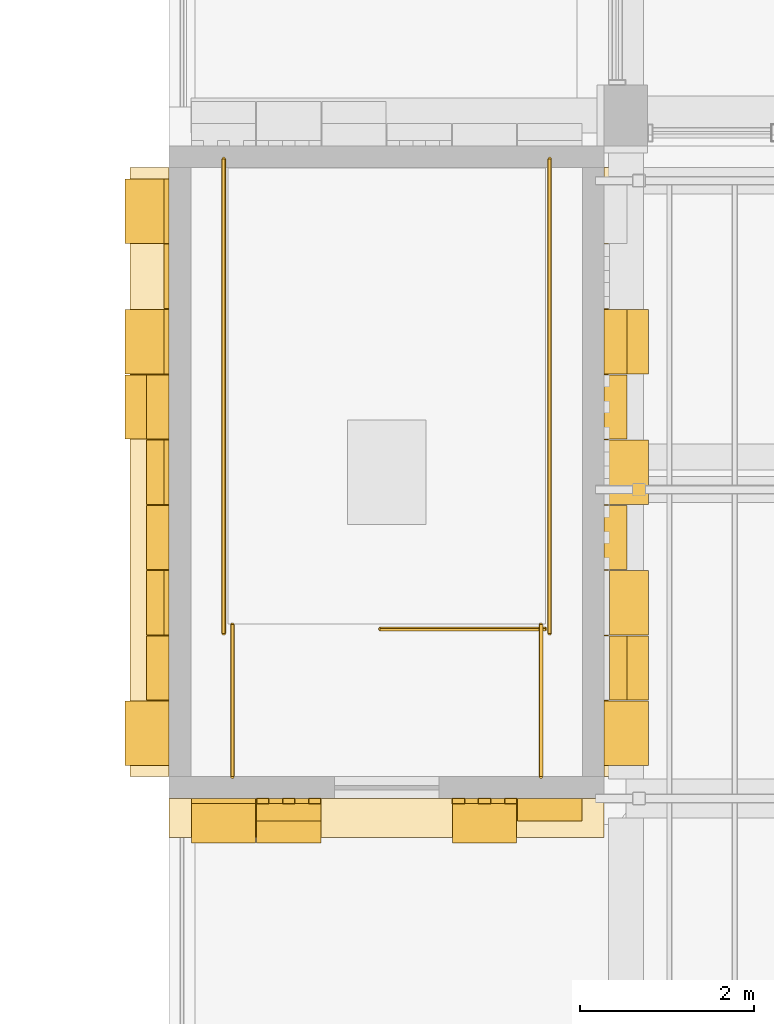
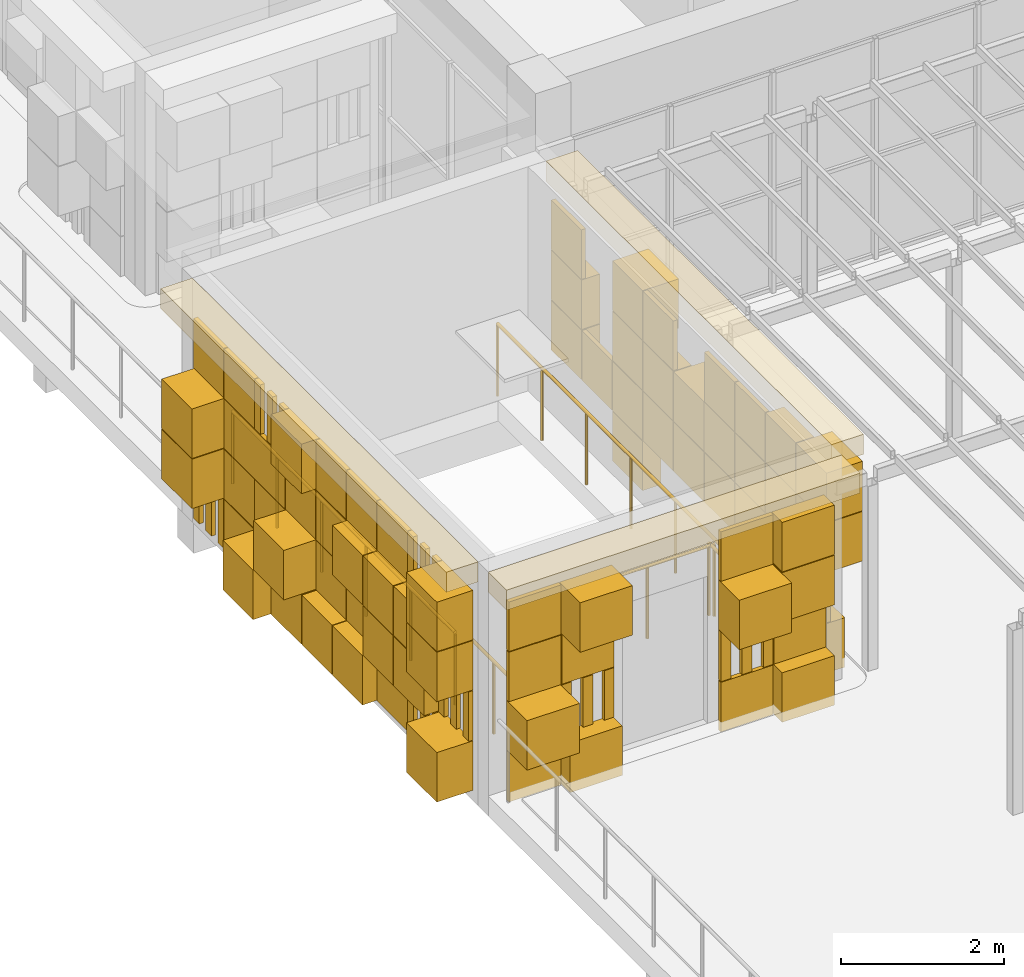
# One storey, part 20 of 26: 19 coverings, 5 railings.
"""IFC4 building model written with IfcOpenShell, lengths in metres."""

from ifc_helpers import new_model, si_unit, direction, frame, origin, origin_2d, place, context, subcontext, project, spatial, rectangle, circle, extrude, material, layer, layer_set, type_object, element, save


model = new_model("IFC4")

# Units and contexts
model_context = context("Model", 3, precision=1e-05, world=origin(), true_north=direction((0.0, 1.0)))
body_context = subcontext(model_context, "Body", "Model", "MODEL_VIEW")
ifc_project = project(units=[si_unit("LENGTHUNIT", "METRE"), si_unit("AREAUNIT", "SQUARE_METRE"), si_unit("VOLUMEUNIT", "CUBIC_METRE"), si_unit("PLANEANGLEUNIT", "RADIAN"), si_unit("MASSUNIT", "GRAM", prefix="KILO")], contexts=[model_context])

# Site, building, storey
site_placement = place(None, origin())
site = spatial("IfcSite", under=ifc_project, at=site_placement, CompositionType="ELEMENT")
building_placement = place(site_placement, origin())
building = spatial("IfcBuilding", under=site, at=building_placement, Name="Sun Court Science Centre", CompositionType="ELEMENT")
storey_placement = place(building_placement, frame((0.0, 0.0, 29.25)))
storey = spatial("IfcBuildingStorey", under=building, at=storey_placement, Name="L06", CompositionType="ELEMENT", Elevation=29.25)

# Railings
ifc_material_1 = material(Name="Steel S275", Category="steel")
railing_type = type_object("IfcRailingType", Name="Guard 1100 steel balustrade", PredefinedType="GUARDRAIL", material=ifc_material_1)
railing_placement = place(storey_placement, frame((86.322998046875, 37.947998046875, 0.0)))
element("IfcRailing", 1, at=railing_placement, inside=storey, type_object=railing_type, Name="L06 SL2 top well guard 1", PredefinedType="GUARDRAIL", context=body_context, shape_type="SweptSolid", body=[
    extrude(circle(Radius=0.02392578125, at=origin_2d()), frame((0.0, 0.0, 1.076171875), z_axis=(-1.0, 0.0, 0.0), x_axis=(0.0, -1.0, 0.0)), (0.0, 0.0, 1.0), 1.89794921875),
    extrude(circle(Radius=0.02099609375, at=origin_2d()), origin(), (0.0, 0.0, 1.0), 1.052001953125),
    extrude(circle(Radius=0.02099609375, at=origin_2d()), frame((-0.948974609375, 0.0, 0.0)), (0.0, 0.0, 1.0), 1.052001953125),
    extrude(circle(Radius=0.02099609375, at=origin_2d()), frame((-1.89794921875, 0.0, 0.0)), (0.0, 0.0, 1.0), 1.052001953125),
])
for number, where, name in (
    (2, (86.373046875, 37.89794921875, 0.0), "L06 SL2 top well guard 2"),
    (3, (82.626953125, 37.89794921875, 0.0), "L06 SL2 top well guard 3"),
):
    element("IfcRailing", number, at=place(storey_placement, frame(where)), inside=storey, type_object=railing_type, Name=name, PredefinedType="GUARDRAIL", context=body_context, shape_type="SweptSolid", body=[
        extrude(circle(Radius=0.02392578125, at=origin_2d()), frame((0.0, 0.0, 1.076171875), z_axis=(0.0, 1.0, 0.0), x_axis=(-1.0, 0.0, 0.0)), (0.0, 0.0, 1.0), 5.4521484375),
        extrude(circle(Radius=0.02099609375, at=origin_2d()), origin(), (0.0, 0.0, 1.0), 1.052001953125),
        extrude(circle(Radius=0.02099609375, at=origin_2d()), frame((0.0, 1.09033203125, 0.0)), (0.0, 0.0, 1.0), 1.052001953125),
        extrude(circle(Radius=0.02099609375, at=origin_2d()), frame((0.0, 2.180908203125, 0.0)), (0.0, 0.0, 1.0), 1.052001953125),
        extrude(circle(Radius=0.02099609375, at=origin_2d()), frame((0.0, 3.271240234375, 0.0)), (0.0, 0.0, 1.0), 1.052001953125),
        extrude(circle(Radius=0.02099609375, at=origin_2d()), frame((0.0, 4.36181640625, 0.0)), (0.0, 0.0, 1.0), 1.052001953125),
        extrude(circle(Radius=0.02099609375, at=origin_2d()), frame((0.0, 5.4521484375, 0.0)), (0.0, 0.0, 1.0), 1.052001953125),
    ])
for number, where, name in (
    (4, (86.27294921875, 36.25, 0.0), "L06 SL2 top well guard 4"),
    (5, (82.72705078125, 36.25, 0.0), "L06 SL2 top well guard 5"),
):
    element("IfcRailing", number, at=place(storey_placement, frame(where)), inside=storey, type_object=railing_type, Name=name, PredefinedType="GUARDRAIL", context=body_context, shape_type="SweptSolid", body=[
        extrude(circle(Radius=0.02392578125, at=origin_2d()), frame((0.0, 0.0, 1.076171875), z_axis=(0.0, 1.0, 0.0), x_axis=(-1.0, 0.0, 0.0)), (0.0, 0.0, 1.0), 1.748046875),
        extrude(circle(Radius=0.02099609375, at=origin_2d()), origin(), (0.0, 0.0, 1.0), 1.052001953125),
        extrude(circle(Radius=0.02099609375, at=origin_2d()), frame((0.0, 0.8740234375, 0.0)), (0.0, 0.0, 1.0), 1.052001953125),
        extrude(circle(Radius=0.02099609375, at=origin_2d()), frame((0.0, 1.748046875, 0.0)), (0.0, 0.0, 1.0), 1.052001953125),
    ])

# Coverings
ifc_material_2 = material(Name="Terracotta panel", Category="masonry")
ifc_layer_1 = layer(ifc_material_2, 0.449951171875)
ifc_layer_set_1 = layer_set([ifc_layer_1], Name="Terracotta panel")
covering_type_1 = type_object("IfcCoveringType", Name="Terracotta cornice 450", PredefinedType="CLADDING", material=ifc_layer_set_1)
covering_1_placement = place(storey_placement, frame((0.0, 0.0, -29.25)))
element("IfcCovering", 6, at=covering_1_placement, inside=storey, type_object=covering_type_1, Name="Terracotta cornice east face of core L06", PredefinedType="CLADDING", context=body_context, shape_type="SweptSolid", body=[
    extrude(rectangle(XDim=7.0, YDim=0.449951171875, at=origin_2d()), frame((87.22509765625, 39.75, 32.2998046875), z_axis=(0.0, 0.0, 1.0), x_axis=(0.0, -1.0, 0.0)), (0.0, 0.0, 1.0), 0.300048828125),
])
covering_2_placement = place(storey_placement, frame((0.0, 0.0, -29.25)))
element("IfcCovering", 7, at=covering_2_placement, inside=storey, type_object=covering_type_1, Name="Terracotta cornice south face of core L06", PredefinedType="CLADDING", context=body_context, shape_type="SweptSolid", body=[
    extrude(rectangle(XDim=5.0, YDim=0.449951171875, at=origin_2d()), frame((84.5, 35.77490234375, 32.2998046875), z_axis=(0.0, 0.0, 1.0), x_axis=(-1.0, 0.0, 0.0)), (0.0, 0.0, 1.0), 0.300048828125),
])
covering_3_placement = place(storey_placement, frame((0.0, 0.0, -29.25)))
element("IfcCovering", 8, at=covering_3_placement, inside=storey, type_object=covering_type_1, Name="Terracotta cornice west face of core L06", PredefinedType="CLADDING", context=body_context, shape_type="SweptSolid", body=[
    extrude(rectangle(XDim=7.0, YDim=0.449951171875, at=origin_2d()), frame((81.77490234375, 39.75, 32.2998046875), z_axis=(0.0, 0.0, 1.0), x_axis=(0.0, 1.0, 0.0)), (0.0, 0.0, 1.0), 0.300048828125),
])
ifc_material_3 = material(Name="Terracotta jali", Category="masonry")
ifc_layer_2 = layer(ifc_material_3, 0.06005859375)
ifc_layer_set_2 = layer_set([ifc_layer_2], Name="Terracotta jali")
covering_type_2 = type_object("IfcCoveringType", Name="Terracotta open jali panel", PredefinedType="CLADDING", material=ifc_layer_set_2)
covering_4_placement = place(storey_placement, frame((0.0, 0.0, -29.25)))
element("IfcCovering", 9, at=covering_4_placement, inside=storey, type_object=covering_type_2, Name="Open jali pixel cladding south face of core L06", PredefinedType="CLADDING", context=body_context, shape_type="SweptSolid", body=[
    extrude(rectangle(XDim=0.139892578125, YDim=0.06005859375, at=origin_2d()), frame((85.925048828125, 35.969970703125, 29.85498046875), z_axis=(0.0, 0.0, 1.0), x_axis=(-1.0, 0.0, 0.0)), (0.0, 0.0, 1.0), 0.739990234375),
    extrude(rectangle(XDim=0.139892578125, YDim=0.06005859375, at=origin_2d()), frame((85.625, 35.969970703125, 29.85498046875), z_axis=(0.0, 0.0, 1.0), x_axis=(-1.0, 0.0, 0.0)), (0.0, 0.0, 1.0), 0.739990234375),
    extrude(rectangle(XDim=0.139892578125, YDim=0.06005859375, at=origin_2d()), frame((85.324951171875, 35.969970703125, 29.85498046875), z_axis=(0.0, 0.0, 1.0), x_axis=(-1.0, 0.0, 0.0)), (0.0, 0.0, 1.0), 0.739990234375),
    extrude(rectangle(XDim=0.139892578125, YDim=0.06005859375, at=origin_2d()), frame((83.675048828125, 35.969970703125, 29.85498046875), z_axis=(0.0, 0.0, 1.0), x_axis=(-1.0, 0.0, 0.0)), (0.0, 0.0, 1.0), 0.739990234375),
    extrude(rectangle(XDim=0.139892578125, YDim=0.06005859375, at=origin_2d()), frame((83.375, 35.969970703125, 29.85498046875), z_axis=(0.0, 0.0, 1.0), x_axis=(-1.0, 0.0, 0.0)), (0.0, 0.0, 1.0), 0.739990234375),
    extrude(rectangle(XDim=0.139892578125, YDim=0.06005859375, at=origin_2d()), frame((83.074951171875, 35.969970703125, 29.85498046875), z_axis=(0.0, 0.0, 1.0), x_axis=(-1.0, 0.0, 0.0)), (0.0, 0.0, 1.0), 0.739990234375),
])
covering_5_placement = place(storey_placement, frame((0.0, 0.0, -29.25)))
element("IfcCovering", 10, at=covering_5_placement, inside=storey, type_object=covering_type_2, Name="Open jali pixel cladding west face of core L06", PredefinedType="CLADDING", context=body_context, shape_type="SweptSolid", body=[
    extrude(rectangle(XDim=0.139892578125, YDim=0.06005859375, at=origin_2d()), frame((81.969970703125, 37.199951171875, 29.10498046875), z_axis=(0.0, 0.0, 1.0), x_axis=(0.0, 1.0, 0.0)), (0.0, 0.0, 1.0), 0.739990234375),
    extrude(rectangle(XDim=0.139892578125, YDim=0.06005859375, at=origin_2d()), frame((81.969970703125, 37.5, 29.10498046875), z_axis=(0.0, 0.0, 1.0), x_axis=(0.0, 1.0, 0.0)), (0.0, 0.0, 1.0), 0.739990234375),
    extrude(rectangle(XDim=0.139892578125, YDim=0.06005859375, at=origin_2d()), frame((81.969970703125, 37.800048828125, 29.10498046875), z_axis=(0.0, 0.0, 1.0), x_axis=(0.0, 1.0, 0.0)), (0.0, 0.0, 1.0), 0.739990234375),
    extrude(rectangle(XDim=0.139892578125, YDim=0.06005859375, at=origin_2d()), frame((81.969970703125, 42.449951171875, 29.10498046875), z_axis=(0.0, 0.0, 1.0), x_axis=(0.0, 1.0, 0.0)), (0.0, 0.0, 1.0), 0.739990234375),
    extrude(rectangle(XDim=0.139892578125, YDim=0.06005859375, at=origin_2d()), frame((81.969970703125, 42.75, 29.10498046875), z_axis=(0.0, 0.0, 1.0), x_axis=(0.0, 1.0, 0.0)), (0.0, 0.0, 1.0), 0.739990234375),
    extrude(rectangle(XDim=0.139892578125, YDim=0.06005859375, at=origin_2d()), frame((81.969970703125, 43.050048828125, 29.10498046875), z_axis=(0.0, 0.0, 1.0), x_axis=(0.0, 1.0, 0.0)), (0.0, 0.0, 1.0), 0.739990234375),
    extrude(rectangle(XDim=0.139892578125, YDim=0.06005859375, at=origin_2d()), frame((81.969970703125, 36.449951171875, 29.85498046875), z_axis=(0.0, 0.0, 1.0), x_axis=(0.0, 1.0, 0.0)), (0.0, 0.0, 1.0), 0.739990234375),
    extrude(rectangle(XDim=0.139892578125, YDim=0.06005859375, at=origin_2d()), frame((81.969970703125, 36.75, 29.85498046875), z_axis=(0.0, 0.0, 1.0), x_axis=(0.0, 1.0, 0.0)), (0.0, 0.0, 1.0), 0.739990234375),
    extrude(rectangle(XDim=0.139892578125, YDim=0.06005859375, at=origin_2d()), frame((81.969970703125, 37.050048828125, 29.85498046875), z_axis=(0.0, 0.0, 1.0), x_axis=(0.0, 1.0, 0.0)), (0.0, 0.0, 1.0), 0.739990234375),
    extrude(rectangle(XDim=0.139892578125, YDim=0.06005859375, at=origin_2d()), frame((81.969970703125, 37.199951171875, 31.35498046875), z_axis=(0.0, 0.0, 1.0), x_axis=(0.0, 1.0, 0.0)), (0.0, 0.0, 1.0), 0.739990234375),
    extrude(rectangle(XDim=0.139892578125, YDim=0.06005859375, at=origin_2d()), frame((81.969970703125, 37.5, 31.35498046875), z_axis=(0.0, 0.0, 1.0), x_axis=(0.0, 1.0, 0.0)), (0.0, 0.0, 1.0), 0.739990234375),
    extrude(rectangle(XDim=0.139892578125, YDim=0.06005859375, at=origin_2d()), frame((81.969970703125, 37.800048828125, 31.35498046875), z_axis=(0.0, 0.0, 1.0), x_axis=(0.0, 1.0, 0.0)), (0.0, 0.0, 1.0), 0.739990234375),
    extrude(rectangle(XDim=0.139892578125, YDim=0.06005859375, at=origin_2d()), frame((81.969970703125, 40.949951171875, 31.35498046875), z_axis=(0.0, 0.0, 1.0), x_axis=(0.0, 1.0, 0.0)), (0.0, 0.0, 1.0), 0.739990234375),
    extrude(rectangle(XDim=0.139892578125, YDim=0.06005859375, at=origin_2d()), frame((81.969970703125, 41.25, 31.35498046875), z_axis=(0.0, 0.0, 1.0), x_axis=(0.0, 1.0, 0.0)), (0.0, 0.0, 1.0), 0.739990234375),
    extrude(rectangle(XDim=0.139892578125, YDim=0.06005859375, at=origin_2d()), frame((81.969970703125, 41.550048828125, 31.35498046875), z_axis=(0.0, 0.0, 1.0), x_axis=(0.0, 1.0, 0.0)), (0.0, 0.0, 1.0), 0.739990234375),
    extrude(rectangle(XDim=0.739990234375, YDim=0.510009765625, at=origin_2d()), frame((81.7451171875, 42.75, 30.60498046875), z_axis=(0.0, 0.0, 1.0), x_axis=(0.0, 1.0, 0.0)), (0.0, 0.0, 1.0), 0.739990234375),
    extrude(rectangle(XDim=0.739990234375, YDim=0.510009765625, at=origin_2d()), frame((81.7451171875, 36.75, 29.10498046875), z_axis=(0.0, 0.0, 1.0), x_axis=(0.0, 1.0, 0.0)), (0.0, 0.0, 1.0), 0.739990234375),
    extrude(rectangle(XDim=0.739990234375, YDim=0.510009765625, at=origin_2d()), frame((81.7451171875, 36.75, 30.60498046875), z_axis=(0.0, 0.0, 1.0), x_axis=(0.0, 1.0, 0.0)), (0.0, 0.0, 1.0), 0.739990234375),
    extrude(rectangle(XDim=0.739990234375, YDim=0.510009765625, at=origin_2d()), frame((81.7451171875, 36.75, 31.35498046875), z_axis=(0.0, 0.0, 1.0), x_axis=(0.0, 1.0, 0.0)), (0.0, 0.0, 1.0), 0.739990234375),
    extrude(rectangle(XDim=0.739990234375, YDim=0.510009765625, at=origin_2d()), frame((81.7451171875, 42.75, 29.85498046875), z_axis=(0.0, 0.0, 1.0), x_axis=(0.0, 1.0, 0.0)), (0.0, 0.0, 1.0), 0.739990234375),
    extrude(rectangle(XDim=0.739990234375, YDim=0.06005859375, at=origin_2d()), frame((81.969970703125, 42.75, 31.35498046875), z_axis=(0.0, 0.0, 1.0), x_axis=(0.0, 1.0, 0.0)), (0.0, 0.0, 1.0), 0.739990234375),
])
ifc_material_4 = material(Name="Terracotta shade 1", Category="masonry")
ifc_layer_3 = layer(ifc_material_4, 0.06005859375)
ifc_layer_set_3 = layer_set([ifc_layer_3], Name="Terracotta shade 1")
covering_type_3 = type_object("IfcCoveringType", Name="Terracotta pixel panel shade 1", PredefinedType="CLADDING", material=ifc_layer_set_3)
covering_6_placement = place(storey_placement, frame((0.0, 0.0, -29.25)))
element("IfcCovering", 11, at=covering_6_placement, inside=storey, type_object=covering_type_3, Name="Terracotta pixel cladding shade 1 east face of core L06", PredefinedType="CLADDING", context=body_context, shape_type="SweptSolid", body=[
    extrude(rectangle(XDim=0.739990234375, YDim=0.260009765625, at=origin_2d()), frame((87.1298828125, 41.25, 29.10498046875), z_axis=(0.0, 0.0, 1.0), x_axis=(0.0, -1.0, 0.0)), (0.0, 0.0, 1.0), 0.739990234375),
    extrude(rectangle(XDim=0.739990234375, YDim=0.260009765625, at=origin_2d()), frame((87.1298828125, 36.75, 29.10498046875), z_axis=(0.0, 0.0, 1.0), x_axis=(0.0, -1.0, 0.0)), (0.0, 0.0, 1.0), 0.739990234375),
    extrude(rectangle(XDim=0.739990234375, YDim=0.06005859375, at=origin_2d()), frame((87.030029296875, 42.0, 29.85498046875), z_axis=(0.0, 0.0, 1.0), x_axis=(0.0, -1.0, 0.0)), (0.0, 0.0, 1.0), 0.739990234375),
    extrude(rectangle(XDim=0.739990234375, YDim=0.06005859375, at=origin_2d()), frame((87.030029296875, 40.5, 29.85498046875), z_axis=(0.0, 0.0, 1.0), x_axis=(0.0, -1.0, 0.0)), (0.0, 0.0, 1.0), 0.739990234375),
    extrude(rectangle(XDim=0.739990234375, YDim=0.260009765625, at=origin_2d()), frame((87.1298828125, 39.75, 29.85498046875), z_axis=(0.0, 0.0, 1.0), x_axis=(0.0, -1.0, 0.0)), (0.0, 0.0, 1.0), 0.739990234375),
    extrude(rectangle(XDim=0.739990234375, YDim=0.510009765625, at=origin_2d()), frame((87.2548828125, 39.75, 30.60498046875), z_axis=(0.0, 0.0, 1.0), x_axis=(0.0, -1.0, 0.0)), (0.0, 0.0, 1.0), 0.739990234375),
    extrude(rectangle(XDim=0.739990234375, YDim=0.06005859375, at=origin_2d()), frame((87.030029296875, 40.5, 31.35498046875), z_axis=(0.0, 0.0, 1.0), x_axis=(0.0, -1.0, 0.0)), (0.0, 0.0, 1.0), 0.739990234375),
    extrude(rectangle(XDim=0.739990234375, YDim=0.06005859375, at=origin_2d()), frame((87.030029296875, 39.0, 31.35498046875), z_axis=(0.0, 0.0, 1.0), x_axis=(0.0, -1.0, 0.0)), (0.0, 0.0, 1.0), 0.739990234375),
    extrude(rectangle(XDim=0.739990234375, YDim=0.260009765625, at=origin_2d()), frame((87.1298828125, 37.5, 31.35498046875), z_axis=(0.0, 0.0, 1.0), x_axis=(0.0, -1.0, 0.0)), (0.0, 0.0, 1.0), 0.739990234375),
])
covering_7_placement = place(storey_placement, frame((0.0, 0.0, -29.25)))
element("IfcCovering", 12, at=covering_7_placement, inside=storey, type_object=covering_type_3, Name="Terracotta pixel cladding shade 1 south face of core L06", PredefinedType="CLADDING", context=body_context, shape_type="SweptSolid", body=[
    extrude(rectangle(XDim=0.739990234375, YDim=0.260009765625, at=origin_2d()), frame((83.375, 35.8701171875, 29.10498046875), z_axis=(0.0, 0.0, 1.0), x_axis=(-1.0, 0.0, 0.0)), (0.0, 0.0, 1.0), 0.739990234375),
    extrude(rectangle(XDim=0.739990234375, YDim=0.06005859375, at=origin_2d()), frame((82.625, 35.969970703125, 29.10498046875), z_axis=(0.0, 0.0, 1.0), x_axis=(-1.0, 0.0, 0.0)), (0.0, 0.0, 1.0), 0.739990234375),
    extrude(rectangle(XDim=0.739990234375, YDim=0.260009765625, at=origin_2d()), frame((86.375, 35.8701171875, 31.35498046875), z_axis=(0.0, 0.0, 1.0), x_axis=(-1.0, 0.0, 0.0)), (0.0, 0.0, 1.0), 0.739990234375),
    extrude(rectangle(XDim=0.739990234375, YDim=0.06005859375, at=origin_2d()), frame((82.625, 35.969970703125, 31.35498046875), z_axis=(0.0, 0.0, 1.0), x_axis=(-1.0, 0.0, 0.0)), (0.0, 0.0, 1.0), 0.739990234375),
    extrude(rectangle(XDim=0.739990234375, YDim=0.06005859375, at=origin_2d()), frame((85.625, 35.969970703125, 31.35498046875), z_axis=(0.0, 0.0, 1.0), x_axis=(-1.0, 0.0, 0.0)), (0.0, 0.0, 1.0), 0.739990234375),
])
covering_8_placement = place(storey_placement, frame((0.0, 0.0, -29.25)))
element("IfcCovering", 13, at=covering_8_placement, inside=storey, type_object=covering_type_3, Name="Terracotta pixel cladding shade 1 west face of core L06", PredefinedType="CLADDING", context=body_context, shape_type="SweptSolid", body=[
    extrude(rectangle(XDim=0.739990234375, YDim=0.260009765625, at=origin_2d()), frame((81.8701171875, 39.75, 29.10498046875), z_axis=(0.0, 0.0, 1.0), x_axis=(0.0, 1.0, 0.0)), (0.0, 0.0, 1.0), 0.739990234375),
    extrude(rectangle(XDim=0.739990234375, YDim=0.06005859375, at=origin_2d()), frame((81.969970703125, 39.75, 29.85498046875), z_axis=(0.0, 0.0, 1.0), x_axis=(0.0, 1.0, 0.0)), (0.0, 0.0, 1.0), 0.739990234375),
    extrude(rectangle(XDim=0.739990234375, YDim=0.06005859375, at=origin_2d()), frame((81.969970703125, 41.25, 29.85498046875), z_axis=(0.0, 0.0, 1.0), x_axis=(0.0, 1.0, 0.0)), (0.0, 0.0, 1.0), 0.739990234375),
    extrude(rectangle(XDim=0.739990234375, YDim=0.260009765625, at=origin_2d()), frame((81.8701171875, 38.25, 30.60498046875), z_axis=(0.0, 0.0, 1.0), x_axis=(0.0, 1.0, 0.0)), (0.0, 0.0, 1.0), 0.739990234375),
    extrude(rectangle(XDim=0.739990234375, YDim=0.06005859375, at=origin_2d()), frame((81.969970703125, 40.5, 30.60498046875), z_axis=(0.0, 0.0, 1.0), x_axis=(0.0, 1.0, 0.0)), (0.0, 0.0, 1.0), 0.739990234375),
    extrude(rectangle(XDim=0.739990234375, YDim=0.06005859375, at=origin_2d()), frame((81.969970703125, 39.0, 31.35498046875), z_axis=(0.0, 0.0, 1.0), x_axis=(0.0, 1.0, 0.0)), (0.0, 0.0, 1.0), 0.739990234375),
    extrude(rectangle(XDim=0.739990234375, YDim=0.06005859375, at=origin_2d()), frame((81.969970703125, 38.25, 29.10498046875), z_axis=(0.0, 0.0, 1.0), x_axis=(0.0, 1.0, 0.0)), (0.0, 0.0, 1.0), 0.739990234375),
])
ifc_material_5 = material(Name="Terracotta shade 2", Category="masonry")
ifc_layer_4 = layer(ifc_material_5, 0.06005859375)
ifc_layer_set_4 = layer_set([ifc_layer_4], Name="Terracotta shade 2")
covering_type_4 = type_object("IfcCoveringType", Name="Terracotta pixel panel shade 2", PredefinedType="CLADDING", material=ifc_layer_set_4)
covering_9_placement = place(storey_placement, frame((0.0, 0.0, -29.25)))
element("IfcCovering", 14, at=covering_9_placement, inside=storey, type_object=covering_type_4, Name="Terracotta pixel cladding shade 2 east face of core L06", PredefinedType="CLADDING", context=body_context, shape_type="SweptSolid", body=[
    extrude(rectangle(XDim=0.739990234375, YDim=0.260009765625, at=origin_2d()), frame((87.1298828125, 42.75, 29.85498046875), z_axis=(0.0, 0.0, 1.0), x_axis=(0.0, -1.0, 0.0)), (0.0, 0.0, 1.0), 0.739990234375),
    extrude(rectangle(XDim=0.739990234375, YDim=0.06005859375, at=origin_2d()), frame((87.030029296875, 41.25, 29.85498046875), z_axis=(0.0, 0.0, 1.0), x_axis=(0.0, -1.0, 0.0)), (0.0, 0.0, 1.0), 0.739990234375),
    extrude(rectangle(XDim=0.739990234375, YDim=0.260009765625, at=origin_2d()), frame((87.1298828125, 38.25, 29.85498046875), z_axis=(0.0, 0.0, 1.0), x_axis=(0.0, -1.0, 0.0)), (0.0, 0.0, 1.0), 0.739990234375),
    extrude(rectangle(XDim=0.739990234375, YDim=0.510009765625, at=origin_2d()), frame((87.2548828125, 37.5, 29.85498046875), z_axis=(0.0, 0.0, 1.0), x_axis=(0.0, -1.0, 0.0)), (0.0, 0.0, 1.0), 0.739990234375),
    extrude(rectangle(XDim=0.739990234375, YDim=0.06005859375, at=origin_2d()), frame((87.030029296875, 36.75, 29.85498046875), z_axis=(0.0, 0.0, 1.0), x_axis=(0.0, -1.0, 0.0)), (0.0, 0.0, 1.0), 0.739990234375),
    extrude(rectangle(XDim=0.739990234375, YDim=0.260009765625, at=origin_2d()), frame((87.1298828125, 42.75, 30.60498046875), z_axis=(0.0, 0.0, 1.0), x_axis=(0.0, -1.0, 0.0)), (0.0, 0.0, 1.0), 0.739990234375),
    extrude(rectangle(XDim=0.739990234375, YDim=0.510009765625, at=origin_2d()), frame((87.2548828125, 36.75, 30.60498046875), z_axis=(0.0, 0.0, 1.0), x_axis=(0.0, -1.0, 0.0)), (0.0, 0.0, 1.0), 0.739990234375),
])
covering_10_placement = place(storey_placement, frame((0.0, 0.0, -29.25)))
element("IfcCovering", 15, at=covering_10_placement, inside=storey, type_object=covering_type_4, Name="Terracotta pixel cladding shade 2 south face of core L06", PredefinedType="CLADDING", context=body_context, shape_type="SweptSolid", body=[
    extrude(rectangle(XDim=0.739990234375, YDim=0.06005859375, at=origin_2d()), frame((85.625, 35.969970703125, 29.10498046875), z_axis=(0.0, 0.0, 1.0), x_axis=(-1.0, 0.0, 0.0)), (0.0, 0.0, 1.0), 0.739990234375),
    extrude(rectangle(XDim=0.739990234375, YDim=0.510009765625, at=origin_2d()), frame((85.625, 35.7451171875, 30.60498046875), z_axis=(0.0, 0.0, 1.0), x_axis=(-1.0, 0.0, 0.0)), (0.0, 0.0, 1.0), 0.739990234375),
    extrude(rectangle(XDim=0.739990234375, YDim=0.510009765625, at=origin_2d()), frame((83.375, 35.7451171875, 31.35498046875), z_axis=(0.0, 0.0, 1.0), x_axis=(-1.0, 0.0, 0.0)), (0.0, 0.0, 1.0), 0.739990234375),
])
covering_11_placement = place(storey_placement, frame((0.0, 0.0, -29.25)))
element("IfcCovering", 16, at=covering_11_placement, inside=storey, type_object=covering_type_4, Name="Terracotta pixel cladding shade 2 west face of core L06", PredefinedType="CLADDING", context=body_context, shape_type="SweptSolid", body=[
    extrude(rectangle(XDim=0.739990234375, YDim=0.260009765625, at=origin_2d()), frame((81.8701171875, 40.5, 29.10498046875), z_axis=(0.0, 0.0, 1.0), x_axis=(0.0, 1.0, 0.0)), (0.0, 0.0, 1.0), 0.739990234375),
    extrude(rectangle(XDim=0.739990234375, YDim=0.510009765625, at=origin_2d()), frame((81.7451171875, 41.25, 29.10498046875), z_axis=(0.0, 0.0, 1.0), x_axis=(0.0, 1.0, 0.0)), (0.0, 0.0, 1.0), 0.739990234375),
    extrude(rectangle(XDim=0.739990234375, YDim=0.06005859375, at=origin_2d()), frame((81.969970703125, 39.0, 29.85498046875), z_axis=(0.0, 0.0, 1.0), x_axis=(0.0, 1.0, 0.0)), (0.0, 0.0, 1.0), 0.739990234375),
    extrude(rectangle(XDim=0.739990234375, YDim=0.06005859375, at=origin_2d()), frame((81.969970703125, 39.75, 30.60498046875), z_axis=(0.0, 0.0, 1.0), x_axis=(0.0, 1.0, 0.0)), (0.0, 0.0, 1.0), 0.739990234375),
])
ifc_material_6 = material(Name="Terracotta shade 3", Category="masonry")
ifc_layer_5 = layer(ifc_material_6, 0.06005859375)
ifc_layer_set_5 = layer_set([ifc_layer_5], Name="Terracotta shade 3")
covering_type_5 = type_object("IfcCoveringType", Name="Terracotta pixel panel shade 3", PredefinedType="CLADDING", material=ifc_layer_set_5)
covering_12_placement = place(storey_placement, frame((0.0, 0.0, -29.25)))
element("IfcCovering", 17, at=covering_12_placement, inside=storey, type_object=covering_type_5, Name="Terracotta pixel cladding shade 3 east face of core L06", PredefinedType="CLADDING", context=body_context, shape_type="SweptSolid", body=[
    extrude(rectangle(XDim=0.739990234375, YDim=0.260009765625, at=origin_2d()), frame((87.1298828125, 41.25, 30.60498046875), z_axis=(0.0, 0.0, 1.0), x_axis=(0.0, -1.0, 0.0)), (0.0, 0.0, 1.0), 0.739990234375),
    extrude(rectangle(XDim=0.739990234375, YDim=0.260009765625, at=origin_2d()), frame((87.1298828125, 40.5, 30.60498046875), z_axis=(0.0, 0.0, 1.0), x_axis=(0.0, -1.0, 0.0)), (0.0, 0.0, 1.0), 0.739990234375),
    extrude(rectangle(XDim=0.739990234375, YDim=0.06005859375, at=origin_2d()), frame((87.030029296875, 37.5, 30.60498046875), z_axis=(0.0, 0.0, 1.0), x_axis=(0.0, -1.0, 0.0)), (0.0, 0.0, 1.0), 0.739990234375),
    extrude(rectangle(XDim=0.739990234375, YDim=0.06005859375, at=origin_2d()), frame((87.030029296875, 42.75, 31.35498046875), z_axis=(0.0, 0.0, 1.0), x_axis=(0.0, -1.0, 0.0)), (0.0, 0.0, 1.0), 0.739990234375),
    extrude(rectangle(XDim=0.739990234375, YDim=0.06005859375, at=origin_2d()), frame((87.030029296875, 38.25, 31.35498046875), z_axis=(0.0, 0.0, 1.0), x_axis=(0.0, -1.0, 0.0)), (0.0, 0.0, 1.0), 0.739990234375),
    extrude(rectangle(XDim=0.739990234375, YDim=0.510009765625, at=origin_2d()), frame((87.2548828125, 36.75, 31.35498046875), z_axis=(0.0, 0.0, 1.0), x_axis=(0.0, -1.0, 0.0)), (0.0, 0.0, 1.0), 0.739990234375),
])
covering_13_placement = place(storey_placement, frame((0.0, 0.0, -29.25)))
element("IfcCovering", 18, at=covering_13_placement, inside=storey, type_object=covering_type_5, Name="Terracotta pixel cladding shade 3 south face of core L06", PredefinedType="CLADDING", context=body_context, shape_type="SweptSolid", body=[
    extrude(rectangle(XDim=0.739990234375, YDim=0.06005859375, at=origin_2d()), frame((86.375, 35.969970703125, 29.85498046875), z_axis=(0.0, 0.0, 1.0), x_axis=(-1.0, 0.0, 0.0)), (0.0, 0.0, 1.0), 0.739990234375),
    extrude(rectangle(XDim=0.739990234375, YDim=0.260009765625, at=origin_2d()), frame((86.375, 35.8701171875, 30.60498046875), z_axis=(0.0, 0.0, 1.0), x_axis=(-1.0, 0.0, 0.0)), (0.0, 0.0, 1.0), 0.739990234375),
    extrude(rectangle(XDim=0.739990234375, YDim=0.06005859375, at=origin_2d()), frame((82.625, 35.969970703125, 30.60498046875), z_axis=(0.0, 0.0, 1.0), x_axis=(-1.0, 0.0, 0.0)), (0.0, 0.0, 1.0), 0.739990234375),
])
covering_14_placement = place(storey_placement, frame((0.0, 0.0, -29.25)))
element("IfcCovering", 19, at=covering_14_placement, inside=storey, type_object=covering_type_5, Name="Terracotta pixel cladding shade 3 west face of core L06", PredefinedType="CLADDING", context=body_context, shape_type="SweptSolid", body=[
    extrude(rectangle(XDim=0.739990234375, YDim=0.260009765625, at=origin_2d()), frame((81.8701171875, 37.5, 29.85498046875), z_axis=(0.0, 0.0, 1.0), x_axis=(0.0, 1.0, 0.0)), (0.0, 0.0, 1.0), 0.739990234375),
    extrude(rectangle(XDim=0.739990234375, YDim=0.510009765625, at=origin_2d()), frame((81.7451171875, 40.5, 29.85498046875), z_axis=(0.0, 0.0, 1.0), x_axis=(0.0, 1.0, 0.0)), (0.0, 0.0, 1.0), 0.739990234375),
    extrude(rectangle(XDim=0.739990234375, YDim=0.260009765625, at=origin_2d()), frame((81.8701171875, 39.0, 30.60498046875), z_axis=(0.0, 0.0, 1.0), x_axis=(0.0, 1.0, 0.0)), (0.0, 0.0, 1.0), 0.739990234375),
    extrude(rectangle(XDim=0.739990234375, YDim=0.06005859375, at=origin_2d()), frame((81.969970703125, 41.25, 30.60498046875), z_axis=(0.0, 0.0, 1.0), x_axis=(0.0, 1.0, 0.0)), (0.0, 0.0, 1.0), 0.739990234375),
    extrude(rectangle(XDim=0.739990234375, YDim=0.06005859375, at=origin_2d()), frame((81.969970703125, 39.75, 31.35498046875), z_axis=(0.0, 0.0, 1.0), x_axis=(0.0, 1.0, 0.0)), (0.0, 0.0, 1.0), 0.739990234375),
    extrude(rectangle(XDim=0.739990234375, YDim=0.06005859375, at=origin_2d()), frame((81.969970703125, 42.0, 31.35498046875), z_axis=(0.0, 0.0, 1.0), x_axis=(0.0, 1.0, 0.0)), (0.0, 0.0, 1.0), 0.739990234375),
    extrude(rectangle(XDim=0.739990234375, YDim=0.06005859375, at=origin_2d()), frame((81.969970703125, 42.0, 29.85498046875), z_axis=(0.0, 0.0, 1.0), x_axis=(0.0, 1.0, 0.0)), (0.0, 0.0, 1.0), 0.739990234375),
    extrude(rectangle(XDim=0.739990234375, YDim=0.06005859375, at=origin_2d()), frame((81.969970703125, 42.0, 30.60498046875), z_axis=(0.0, 0.0, 1.0), x_axis=(0.0, 1.0, 0.0)), (0.0, 0.0, 1.0), 0.739990234375),
    extrude(rectangle(XDim=0.739990234375, YDim=0.06005859375, at=origin_2d()), frame((81.969970703125, 42.0, 29.10498046875), z_axis=(0.0, 0.0, 1.0), x_axis=(0.0, 1.0, 0.0)), (0.0, 0.0, 1.0), 0.739990234375),
])
ifc_material_7 = material(Name="Terracotta shade 4", Category="masonry")
ifc_layer_6 = layer(ifc_material_7, 0.06005859375)
ifc_layer_set_6 = layer_set([ifc_layer_6], Name="Terracotta shade 4")
covering_type_6 = type_object("IfcCoveringType", Name="Terracotta pixel panel shade 4", PredefinedType="CLADDING", material=ifc_layer_set_6)
covering_15_placement = place(storey_placement, frame((0.0, 0.0, -29.25)))
element("IfcCovering", 20, at=covering_15_placement, inside=storey, type_object=covering_type_6, Name="Terracotta pixel cladding shade 4 south face of core L06", PredefinedType="CLADDING", context=body_context, shape_type="SweptSolid", body=[
    extrude(rectangle(XDim=0.739990234375, YDim=0.510009765625, at=origin_2d()), frame((82.625, 35.7451171875, 29.85498046875), z_axis=(0.0, 0.0, 1.0), x_axis=(-1.0, 0.0, 0.0)), (0.0, 0.0, 1.0), 0.739990234375),
    extrude(rectangle(XDim=0.739990234375, YDim=0.06005859375, at=origin_2d()), frame((83.375, 35.969970703125, 30.60498046875), z_axis=(0.0, 0.0, 1.0), x_axis=(-1.0, 0.0, 0.0)), (0.0, 0.0, 1.0), 0.739990234375),
])
covering_16_placement = place(storey_placement, frame((0.0, 0.0, -29.25)))
element("IfcCovering", 21, at=covering_16_placement, inside=storey, type_object=covering_type_6, Name="Terracotta pixel cladding shade 4 west face of core L06", PredefinedType="CLADDING", context=body_context, shape_type="SweptSolid", body=[
    extrude(rectangle(XDim=0.739990234375, YDim=0.260009765625, at=origin_2d()), frame((81.8701171875, 39.0, 29.10498046875), z_axis=(0.0, 0.0, 1.0), x_axis=(0.0, 1.0, 0.0)), (0.0, 0.0, 1.0), 0.739990234375),
    extrude(rectangle(XDim=0.739990234375, YDim=0.260009765625, at=origin_2d()), frame((81.8701171875, 40.5, 31.35498046875), z_axis=(0.0, 0.0, 1.0), x_axis=(0.0, 1.0, 0.0)), (0.0, 0.0, 1.0), 0.739990234375),
])
ifc_material_8 = material(Name="Terracotta shade 5", Category="masonry")
ifc_layer_7 = layer(ifc_material_8, 0.06005859375)
ifc_layer_set_7 = layer_set([ifc_layer_7], Name="Terracotta shade 5")
covering_type_7 = type_object("IfcCoveringType", Name="Terracotta pixel panel shade 5", PredefinedType="CLADDING", material=ifc_layer_set_7)
covering_17_placement = place(storey_placement, frame((0.0, 0.0, -29.25)))
element("IfcCovering", 22, at=covering_17_placement, inside=storey, type_object=covering_type_7, Name="Terracotta pixel cladding shade 5 east face of core L06", PredefinedType="CLADDING", context=body_context, shape_type="SweptSolid", body=[
    extrude(rectangle(XDim=0.739990234375, YDim=0.06005859375, at=origin_2d()), frame((87.030029296875, 39.0, 29.85498046875), z_axis=(0.0, 0.0, 1.0), x_axis=(0.0, -1.0, 0.0)), (0.0, 0.0, 1.0), 0.739990234375),
    extrude(rectangle(XDim=0.739990234375, YDim=0.260009765625, at=origin_2d()), frame((87.1298828125, 39.0, 30.60498046875), z_axis=(0.0, 0.0, 1.0), x_axis=(0.0, -1.0, 0.0)), (0.0, 0.0, 1.0), 0.739990234375),
    extrude(rectangle(XDim=0.739990234375, YDim=0.510009765625, at=origin_2d()), frame((87.2548828125, 38.25, 30.60498046875), z_axis=(0.0, 0.0, 1.0), x_axis=(0.0, -1.0, 0.0)), (0.0, 0.0, 1.0), 0.739990234375),
    extrude(rectangle(XDim=0.739990234375, YDim=0.510009765625, at=origin_2d()), frame((87.2548828125, 41.25, 31.35498046875), z_axis=(0.0, 0.0, 1.0), x_axis=(0.0, -1.0, 0.0)), (0.0, 0.0, 1.0), 0.739990234375),
])
covering_18_placement = place(storey_placement, frame((0.0, 0.0, -29.25)))
element("IfcCovering", 23, at=covering_18_placement, inside=storey, type_object=covering_type_7, Name="Terracotta pixel cladding shade 5 south face of core L06", PredefinedType="CLADDING", context=body_context, shape_type="SweptSolid", body=[
    extrude(rectangle(XDim=0.739990234375, YDim=0.260009765625, at=origin_2d()), frame((86.375, 35.8701171875, 29.10498046875), z_axis=(0.0, 0.0, 1.0), x_axis=(-1.0, 0.0, 0.0)), (0.0, 0.0, 1.0), 0.739990234375),
])
covering_19_placement = place(storey_placement, frame((0.0, 0.0, -29.25)))
element("IfcCovering", 24, at=covering_19_placement, inside=storey, type_object=covering_type_7, Name="Terracotta pixel cladding shade 5 west face of core L06", PredefinedType="CLADDING", context=body_context, shape_type="SweptSolid", body=[
    extrude(rectangle(XDim=0.739990234375, YDim=0.260009765625, at=origin_2d()), frame((81.8701171875, 38.25, 29.85498046875), z_axis=(0.0, 0.0, 1.0), x_axis=(0.0, 1.0, 0.0)), (0.0, 0.0, 1.0), 0.739990234375),
    extrude(rectangle(XDim=0.739990234375, YDim=0.260009765625, at=origin_2d()), frame((81.8701171875, 37.5, 30.60498046875), z_axis=(0.0, 0.0, 1.0), x_axis=(0.0, 1.0, 0.0)), (0.0, 0.0, 1.0), 0.739990234375),
    extrude(rectangle(XDim=0.739990234375, YDim=0.06005859375, at=origin_2d()), frame((81.969970703125, 38.25, 31.35498046875), z_axis=(0.0, 0.0, 1.0), x_axis=(0.0, 1.0, 0.0)), (0.0, 0.0, 1.0), 0.739990234375),
])

save(model, "model.ifc")
